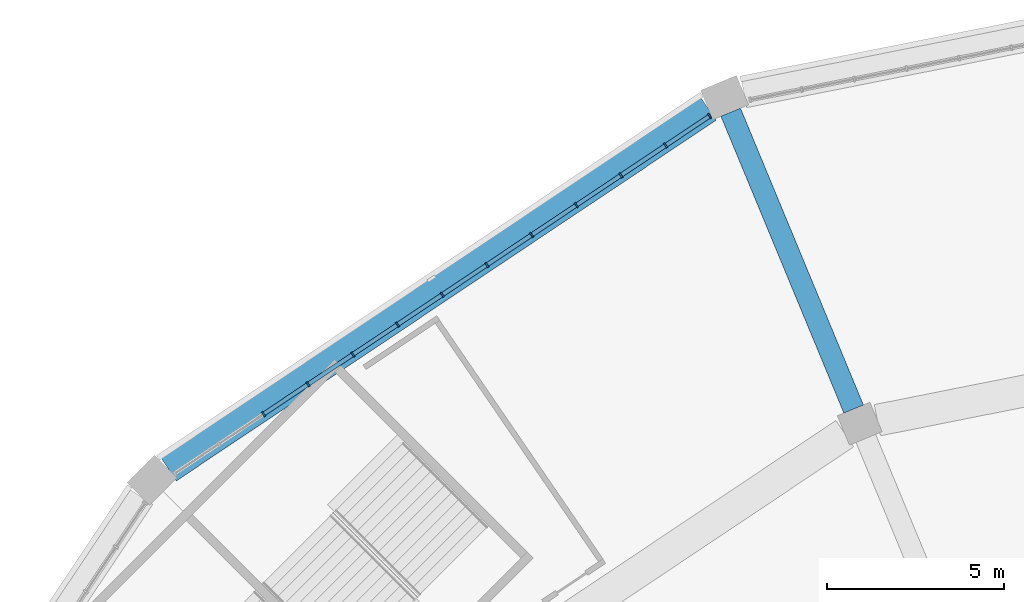
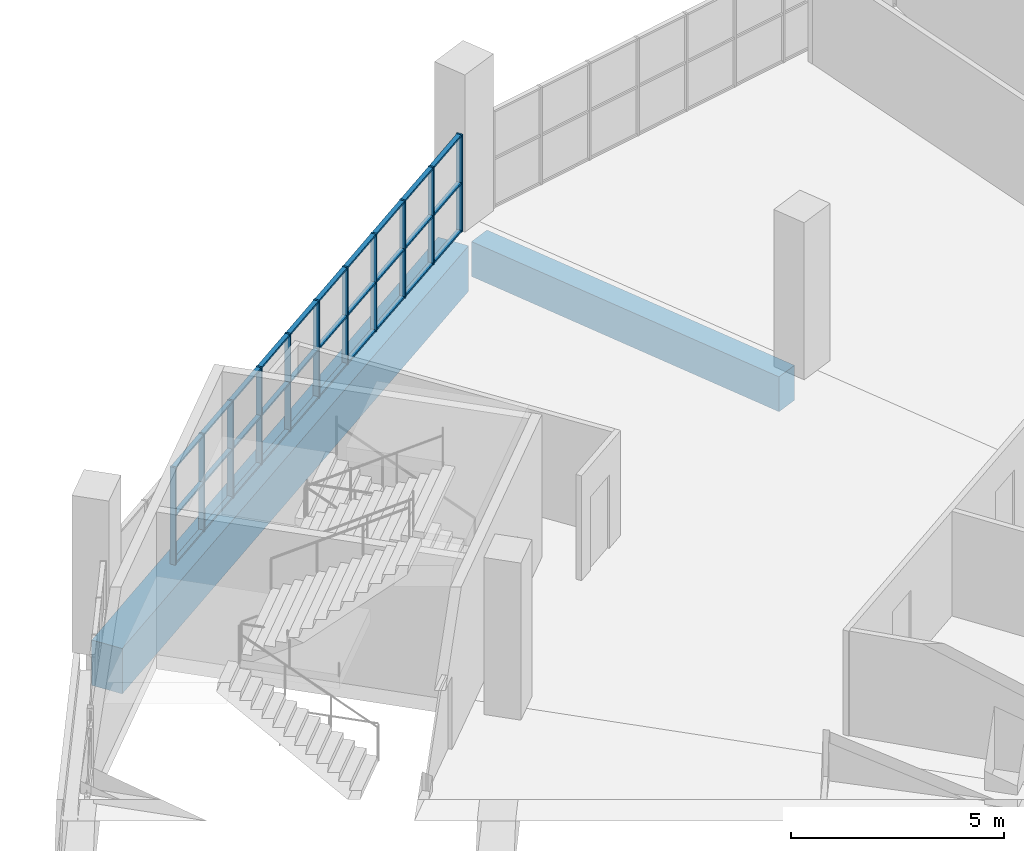
# One storey, part 42 of 199: 41 members, 2 beams, 1 element without a shape of its own.
"""IFC4 building model written with IfcOpenShell, lengths in metres."""

from ifc_helpers import new_model, si_unit, direction, frame, origin, origin_2d, place, context, subcontext, project, spatial, rectangle, extrude, material, material_profile, profile_set, type_object, element, aggregate, save


model = new_model("IFC4")

# Units and contexts
model_context = context("Model", 3, precision=1e-05, world=origin(), true_north=direction((0.0, 1.0)))
body_context = subcontext(model_context, "Body", "Model", "MODEL_VIEW")
ifc_project = project(units=[si_unit("LENGTHUNIT", "METRE"), si_unit("AREAUNIT", "SQUARE_METRE"), si_unit("VOLUMEUNIT", "CUBIC_METRE"), si_unit("PLANEANGLEUNIT", "RADIAN"), si_unit("MASSUNIT", "GRAM", prefix="KILO")], contexts=[model_context])

# Site, building, storey
site_placement = place(None, origin())
site = spatial("IfcSite", under=ifc_project, at=site_placement, CompositionType="ELEMENT")
building_placement = place(site_placement, origin())
building = spatial("IfcBuilding", under=site, at=building_placement, Name="Ogive Plaza Stadium", CompositionType="ELEMENT")
storey_placement = place(building_placement, frame((0.0, 0.0, 4.5)))
storey = spatial("IfcBuildingStorey", under=building, at=storey_placement, Name="L01", CompositionType="ELEMENT", Elevation=4.5)

# Curtain wall, members
ifc_material_1 = material(Name="Bronze-anodised aluminium with laminated glass", Category="aluminium")
curtain_wall_type = type_object("IfcCurtainWallType", Name="Lancet curtain wall", PredefinedType="NOTDEFINED", material=ifc_material_1)
curtain_wall_placement = place(storey_placement, origin())
curtain_wall = element("IfcCurtainWall", 1, at=curtain_wall_placement, inside=storey, type_object=curtain_wall_type, Name="CURTAIN WALL B30 L01", PredefinedType="NOTDEFINED")
ifc_material_2 = material(Name="Bronze-anodised aluminium", Category="aluminium")
ifc_material_profile_1 = material_profile(ifc_material_2, rectangle(XDim=0.14990234375, YDim=0.050048828125, at=origin_2d()), Name="AL 150x50")
ifc_profile_set_1 = profile_set([ifc_material_profile_1], Name="Bronze-anodised aluminium")
member_type_1 = type_object("IfcMemberType", Name="Curtain wall mullion 50x150", PredefinedType="MULLION", material=ifc_profile_set_1)
member_1_placement = place(storey_placement, frame((-66.19677734375, 89.725341796875, 0.0), z_axis=(0.0, 0.0, 1.0), x_axis=(-0.55557023302, 0.831469612303, 0.0)))
member_1 = element("IfcMember", 2, at=member_1_placement, type_object=member_type_1, Name="CW-B30-L01 mullion 3", PredefinedType="MULLION", context=body_context, shape_type="SweptSolid", body=[
    extrude(rectangle(XDim=0.14990234375, YDim=0.050048828125, at=origin_2d()), origin(), (0.0, 0.0, 1.0), 2.7900390625),
])
member_2_placement = place(storey_placement, frame((-64.930908203125, 90.571044921875, 0.0), z_axis=(0.0, 0.0, 1.0), x_axis=(-0.55557023302, 0.831469612303, 0.0)))
member_2 = element("IfcMember", 3, at=member_2_placement, type_object=member_type_1, Name="CW-B30-L01 mullion 4", PredefinedType="MULLION", context=body_context, shape_type="SweptSolid", body=[
    extrude(rectangle(XDim=0.14990234375, YDim=0.050048828125, at=origin_2d()), origin(), (0.0, 0.0, 1.0), 2.7900390625),
])
member_3_placement = place(storey_placement, frame((-63.665283203125, 91.416748046875, 0.0), z_axis=(0.0, 0.0, 1.0), x_axis=(-0.55557023302, 0.831469612303, 0.0)))
member_3 = element("IfcMember", 4, at=member_3_placement, type_object=member_type_1, Name="CW-B30-L01 mullion 5", PredefinedType="MULLION", context=body_context, shape_type="SweptSolid", body=[
    extrude(rectangle(XDim=0.14990234375, YDim=0.050048828125, at=origin_2d()), origin(), (0.0, 0.0, 1.0), 2.7900390625),
])
member_4_placement = place(storey_placement, frame((-62.3994140625, 92.2626953125, 0.0), z_axis=(0.0, 0.0, 1.0), x_axis=(-0.55557023302, 0.831469612303, 0.0)))
member_4 = element("IfcMember", 5, at=member_4_placement, type_object=member_type_1, Name="CW-B30-L01 mullion 6", PredefinedType="MULLION", context=body_context, shape_type="SweptSolid", body=[
    extrude(rectangle(XDim=0.14990234375, YDim=0.050048828125, at=origin_2d()), origin(), (0.0, 0.0, 1.0), 2.7900390625),
])
member_5_placement = place(storey_placement, frame((-61.133544921875, 93.1083984375, 0.0), z_axis=(0.0, 0.0, 1.0), x_axis=(-0.55557023302, 0.831469612303, 0.0)))
member_5 = element("IfcMember", 6, at=member_5_placement, type_object=member_type_1, Name="CW-B30-L01 mullion 7", PredefinedType="MULLION", context=body_context, shape_type="SweptSolid", body=[
    extrude(rectangle(XDim=0.14990234375, YDim=0.050048828125, at=origin_2d()), origin(), (0.0, 0.0, 1.0), 2.7900390625),
])
member_6_placement = place(storey_placement, frame((-59.867919921875, 93.9541015625, 0.0), z_axis=(0.0, 0.0, 1.0), x_axis=(-0.55557023302, 0.831469612303, 0.0)))
member_6 = element("IfcMember", 7, at=member_6_placement, type_object=member_type_1, Name="CW-B30-L01 mullion 8", PredefinedType="MULLION", context=body_context, shape_type="SweptSolid", body=[
    extrude(rectangle(XDim=0.14990234375, YDim=0.050048828125, at=origin_2d()), origin(), (0.0, 0.0, 1.0), 2.7900390625),
])
member_7_placement = place(storey_placement, frame((-58.60205078125, 94.7998046875, 0.0), z_axis=(0.0, 0.0, 1.0), x_axis=(-0.55557023302, 0.831469612303, 0.0)))
member_7 = element("IfcMember", 8, at=member_7_placement, type_object=member_type_1, Name="CW-B30-L01 mullion 9", PredefinedType="MULLION", context=body_context, shape_type="SweptSolid", body=[
    extrude(rectangle(XDim=0.14990234375, YDim=0.050048828125, at=origin_2d()), origin(), (0.0, 0.0, 1.0), 2.7900390625),
])
member_8_placement = place(storey_placement, frame((-57.336181640625, 95.645751953125, 0.0), z_axis=(0.0, 0.0, 1.0), x_axis=(-0.55557023302, 0.831469612303, 0.0)))
member_8 = element("IfcMember", 9, at=member_8_placement, type_object=member_type_1, Name="CW-B30-L01 mullion 10", PredefinedType="MULLION", context=body_context, shape_type="SweptSolid", body=[
    extrude(rectangle(XDim=0.14990234375, YDim=0.050048828125, at=origin_2d()), origin(), (0.0, 0.0, 1.0), 2.7900390625),
])
member_9_placement = place(storey_placement, frame((-56.070556640625, 96.491455078125, 0.0), z_axis=(0.0, 0.0, 1.0), x_axis=(-0.55557023302, 0.831469612303, 0.0)))
member_9 = element("IfcMember", 10, at=member_9_placement, type_object=member_type_1, Name="CW-B30-L01 mullion 11", PredefinedType="MULLION", context=body_context, shape_type="SweptSolid", body=[
    extrude(rectangle(XDim=0.14990234375, YDim=0.050048828125, at=origin_2d()), origin(), (0.0, 0.0, 1.0), 2.7900390625),
])
member_10_placement = place(storey_placement, frame((-54.8046875, 97.337158203125, 0.0), z_axis=(0.0, 0.0, 1.0), x_axis=(-0.55557023302, 0.831469612303, 0.0)))
member_10 = element("IfcMember", 11, at=member_10_placement, type_object=member_type_1, Name="CW-B30-L01 mullion 12", PredefinedType="MULLION", context=body_context, shape_type="SweptSolid", body=[
    extrude(rectangle(XDim=0.14990234375, YDim=0.050048828125, at=origin_2d()), origin(), (0.0, 0.0, 1.0), 2.7900390625),
])
member_11_placement = place(storey_placement, frame((-53.559814453125, 98.169189453125, 0.0), z_axis=(0.0, 0.0, 1.0), x_axis=(-0.55557023302, 0.831469612303, 0.0)))
member_11 = element("IfcMember", 12, at=member_11_placement, type_object=member_type_1, Name="CW-B30-L01 mullion 13", PredefinedType="MULLION", context=body_context, shape_type="SweptSolid", body=[
    extrude(rectangle(XDim=0.14990234375, YDim=0.050048828125, at=origin_2d()), origin(), (0.0, 0.0, 1.0), 2.7900390625),
])
ifc_material_3 = material(Name="Bronze-anodised aluminium", Category="aluminium")
ifc_material_profile_2 = material_profile(ifc_material_3, rectangle(XDim=0.1201171875, YDim=0.050048828125, at=origin_2d()), Name="AL 120x50")
ifc_profile_set_2 = profile_set([ifc_material_profile_2], Name="Bronze-anodised aluminium")
member_type_2 = type_object("IfcMemberType", Name="Curtain wall transom 50x120", PredefinedType="USERDEFINED", material=ifc_profile_set_2)
member_12_placement = place(storey_placement, frame((-66.176025390625, 89.7392578125, 0.02490234375), z_axis=(0.83153975619, 0.555465240925, 0.0), x_axis=(-0.555465240925, 0.83153975619, 0.0)))
member_12 = element("IfcMember", 13, at=member_12_placement, type_object=member_type_2, Name="CW-B30-L01 transom 3.1", ObjectType="TRANSOM", PredefinedType="USERDEFINED", context=body_context, shape_type="SweptSolid", body=[
    extrude(rectangle(XDim=0.1201171875, YDim=0.050048828125, at=origin_2d()), origin(), (0.0, 0.0, 1.0), 1.472412109375),
])
member_13_placement = place(storey_placement, frame((-66.176025390625, 89.7392578125, 1.39501953125), z_axis=(0.83153975619, 0.555465240925, 0.0), x_axis=(-0.555465240925, 0.83153975619, 0.0)))
member_13 = element("IfcMember", 14, at=member_13_placement, type_object=member_type_2, Name="CW-B30-L01 transom 3.2", ObjectType="TRANSOM", PredefinedType="USERDEFINED", context=body_context, shape_type="SweptSolid", body=[
    extrude(rectangle(XDim=0.1201171875, YDim=0.050048828125, at=origin_2d()), origin(), (0.0, 0.0, 1.0), 1.472412109375),
])
member_14_placement = place(storey_placement, frame((-66.176025390625, 89.7392578125, 2.764892578125), z_axis=(0.83153975619, 0.555465240925, 0.0), x_axis=(-0.555465240925, 0.83153975619, 0.0)))
member_14 = element("IfcMember", 15, at=member_14_placement, type_object=member_type_2, Name="CW-B30-L01 transom 3.3", ObjectType="TRANSOM", PredefinedType="USERDEFINED", context=body_context, shape_type="SweptSolid", body=[
    extrude(rectangle(XDim=0.1201171875, YDim=0.050048828125, at=origin_2d()), origin(), (0.0, 0.0, 1.0), 1.472412109375),
])
member_15_placement = place(storey_placement, frame((-64.91015625, 90.5849609375, 0.02490234375), z_axis=(0.831488586159, 0.555541835587, 0.0), x_axis=(-0.555541835587, 0.831488586159, 0.0)))
member_15 = element("IfcMember", 16, at=member_15_placement, type_object=member_type_2, Name="CW-B30-L01 transom 4.1", ObjectType="TRANSOM", PredefinedType="USERDEFINED", context=body_context, shape_type="SweptSolid", body=[
    extrude(rectangle(XDim=0.1201171875, YDim=0.050048828125, at=origin_2d()), origin(), (0.0, 0.0, 1.0), 1.47216796875),
])
member_16_placement = place(storey_placement, frame((-64.91015625, 90.5849609375, 1.39501953125), z_axis=(0.831488586159, 0.555541835587, 0.0), x_axis=(-0.555541835587, 0.831488586159, 0.0)))
member_16 = element("IfcMember", 17, at=member_16_placement, type_object=member_type_2, Name="CW-B30-L01 transom 4.2", ObjectType="TRANSOM", PredefinedType="USERDEFINED", context=body_context, shape_type="SweptSolid", body=[
    extrude(rectangle(XDim=0.1201171875, YDim=0.050048828125, at=origin_2d()), origin(), (0.0, 0.0, 1.0), 1.47216796875),
])
member_17_placement = place(storey_placement, frame((-64.91015625, 90.5849609375, 2.764892578125), z_axis=(0.831488586159, 0.555541835587, 0.0), x_axis=(-0.555541835587, 0.831488586159, 0.0)))
member_17 = element("IfcMember", 18, at=member_17_placement, type_object=member_type_2, Name="CW-B30-L01 transom 4.3", ObjectType="TRANSOM", PredefinedType="USERDEFINED", context=body_context, shape_type="SweptSolid", body=[
    extrude(rectangle(XDim=0.1201171875, YDim=0.050048828125, at=origin_2d()), origin(), (0.0, 0.0, 1.0), 1.47216796875),
])
member_18_placement = place(storey_placement, frame((-63.64453125, 91.4306640625, 0.02490234375), z_axis=(0.831463168883, 0.555579876157, 0.0), x_axis=(-0.555579876157, 0.831463168883, 0.0)))
member_18 = element("IfcMember", 19, at=member_18_placement, type_object=member_type_2, Name="CW-B30-L01 transom 5.1", ObjectType="TRANSOM", PredefinedType="USERDEFINED", context=body_context, shape_type="SweptSolid", body=[
    extrude(rectangle(XDim=0.1201171875, YDim=0.050048828125, at=origin_2d()), origin(), (0.0, 0.0, 1.0), 1.47265625),
])
member_19_placement = place(storey_placement, frame((-63.64453125, 91.4306640625, 1.39501953125), z_axis=(0.831463168883, 0.555579876157, 0.0), x_axis=(-0.555579876157, 0.831463168883, 0.0)))
member_19 = element("IfcMember", 20, at=member_19_placement, type_object=member_type_2, Name="CW-B30-L01 transom 5.2", ObjectType="TRANSOM", PredefinedType="USERDEFINED", context=body_context, shape_type="SweptSolid", body=[
    extrude(rectangle(XDim=0.1201171875, YDim=0.050048828125, at=origin_2d()), origin(), (0.0, 0.0, 1.0), 1.47265625),
])
member_20_placement = place(storey_placement, frame((-63.64453125, 91.4306640625, 2.764892578125), z_axis=(0.831463168883, 0.555579876157, 0.0), x_axis=(-0.555579876157, 0.831463168883, 0.0)))
member_20 = element("IfcMember", 21, at=member_20_placement, type_object=member_type_2, Name="CW-B30-L01 transom 5.3", ObjectType="TRANSOM", PredefinedType="USERDEFINED", context=body_context, shape_type="SweptSolid", body=[
    extrude(rectangle(XDim=0.1201171875, YDim=0.050048828125, at=origin_2d()), origin(), (0.0, 0.0, 1.0), 1.47265625),
])
member_21_placement = place(storey_placement, frame((-62.378662109375, 92.2763671875, 0.02490234375), z_axis=(0.831411982446, 0.555656472512, 0.0), x_axis=(-0.555656472512, 0.831411982446, 0.0)))
member_21 = element("IfcMember", 22, at=member_21_placement, type_object=member_type_2, Name="CW-B30-L01 transom 6.1", ObjectType="TRANSOM", PredefinedType="USERDEFINED", context=body_context, shape_type="SweptSolid", body=[
    extrude(rectangle(XDim=0.1201171875, YDim=0.050048828125, at=origin_2d()), origin(), (0.0, 0.0, 1.0), 1.472412109375),
])
member_22_placement = place(storey_placement, frame((-62.378662109375, 92.2763671875, 1.39501953125), z_axis=(0.831411982446, 0.555656472512, 0.0), x_axis=(-0.555656472512, 0.831411982446, 0.0)))
member_22 = element("IfcMember", 23, at=member_22_placement, type_object=member_type_2, Name="CW-B30-L01 transom 6.2", ObjectType="TRANSOM", PredefinedType="USERDEFINED", context=body_context, shape_type="SweptSolid", body=[
    extrude(rectangle(XDim=0.1201171875, YDim=0.050048828125, at=origin_2d()), origin(), (0.0, 0.0, 1.0), 1.472412109375),
])
member_23_placement = place(storey_placement, frame((-62.378662109375, 92.2763671875, 2.764892578125), z_axis=(0.831411982446, 0.555656472512, 0.0), x_axis=(-0.555656472512, 0.831411982446, 0.0)))
member_23 = element("IfcMember", 24, at=member_23_placement, type_object=member_type_2, Name="CW-B30-L01 transom 6.3", ObjectType="TRANSOM", PredefinedType="USERDEFINED", context=body_context, shape_type="SweptSolid", body=[
    extrude(rectangle(XDim=0.1201171875, YDim=0.050048828125, at=origin_2d()), origin(), (0.0, 0.0, 1.0), 1.472412109375),
])
member_24_placement = place(storey_placement, frame((-61.11279296875, 93.122314453125, 0.02490234375), z_axis=(0.831488586159, 0.555541835587, 0.0), x_axis=(-0.555541835587, 0.831488586159, 0.0)))
member_24 = element("IfcMember", 25, at=member_24_placement, type_object=member_type_2, Name="CW-B30-L01 transom 7.1", ObjectType="TRANSOM", PredefinedType="USERDEFINED", context=body_context, shape_type="SweptSolid", body=[
    extrude(rectangle(XDim=0.1201171875, YDim=0.050048828125, at=origin_2d()), origin(), (0.0, 0.0, 1.0), 1.47216796875),
])
member_25_placement = place(storey_placement, frame((-61.11279296875, 93.122314453125, 1.39501953125), z_axis=(0.831488586159, 0.555541835587, 0.0), x_axis=(-0.555541835587, 0.831488586159, 0.0)))
member_25 = element("IfcMember", 26, at=member_25_placement, type_object=member_type_2, Name="CW-B30-L01 transom 7.2", ObjectType="TRANSOM", PredefinedType="USERDEFINED", context=body_context, shape_type="SweptSolid", body=[
    extrude(rectangle(XDim=0.1201171875, YDim=0.050048828125, at=origin_2d()), origin(), (0.0, 0.0, 1.0), 1.47216796875),
])
member_26_placement = place(storey_placement, frame((-61.11279296875, 93.122314453125, 2.764892578125), z_axis=(0.831488586159, 0.555541835587, 0.0), x_axis=(-0.555541835587, 0.831488586159, 0.0)))
member_26 = element("IfcMember", 27, at=member_26_placement, type_object=member_type_2, Name="CW-B30-L01 transom 7.3", ObjectType="TRANSOM", PredefinedType="USERDEFINED", context=body_context, shape_type="SweptSolid", body=[
    extrude(rectangle(XDim=0.1201171875, YDim=0.050048828125, at=origin_2d()), origin(), (0.0, 0.0, 1.0), 1.47216796875),
])
member_27_placement = place(storey_placement, frame((-59.84716796875, 93.968017578125, 0.02490234375), z_axis=(0.831463168883, 0.555579876157, 0.0), x_axis=(-0.555579876157, 0.831463168883, 0.0)))
member_27 = element("IfcMember", 28, at=member_27_placement, type_object=member_type_2, Name="CW-B30-L01 transom 8.1", ObjectType="TRANSOM", PredefinedType="USERDEFINED", context=body_context, shape_type="SweptSolid", body=[
    extrude(rectangle(XDim=0.1201171875, YDim=0.050048828125, at=origin_2d()), origin(), (0.0, 0.0, 1.0), 1.47265625),
])
member_28_placement = place(storey_placement, frame((-59.84716796875, 93.968017578125, 1.39501953125), z_axis=(0.831463168883, 0.555579876157, 0.0), x_axis=(-0.555579876157, 0.831463168883, 0.0)))
member_28 = element("IfcMember", 29, at=member_28_placement, type_object=member_type_2, Name="CW-B30-L01 transom 8.2", ObjectType="TRANSOM", PredefinedType="USERDEFINED", context=body_context, shape_type="SweptSolid", body=[
    extrude(rectangle(XDim=0.1201171875, YDim=0.050048828125, at=origin_2d()), origin(), (0.0, 0.0, 1.0), 1.47265625),
])
member_29_placement = place(storey_placement, frame((-59.84716796875, 93.968017578125, 2.764892578125), z_axis=(0.831463168883, 0.555579876157, 0.0), x_axis=(-0.555579876157, 0.831463168883, 0.0)))
member_29 = element("IfcMember", 30, at=member_29_placement, type_object=member_type_2, Name="CW-B30-L01 transom 8.3", ObjectType="TRANSOM", PredefinedType="USERDEFINED", context=body_context, shape_type="SweptSolid", body=[
    extrude(rectangle(XDim=0.1201171875, YDim=0.050048828125, at=origin_2d()), origin(), (0.0, 0.0, 1.0), 1.47265625),
])
member_30_placement = place(storey_placement, frame((-58.581298828125, 94.813720703125, 0.02490234375), z_axis=(0.831411982446, 0.555656472512, 0.0), x_axis=(-0.555656472512, 0.831411982446, 0.0)))
member_30 = element("IfcMember", 31, at=member_30_placement, type_object=member_type_2, Name="CW-B30-L01 transom 9.1", ObjectType="TRANSOM", PredefinedType="USERDEFINED", context=body_context, shape_type="SweptSolid", body=[
    extrude(rectangle(XDim=0.1201171875, YDim=0.050048828125, at=origin_2d()), origin(), (0.0, 0.0, 1.0), 1.472412109375),
])
member_31_placement = place(storey_placement, frame((-58.581298828125, 94.813720703125, 1.39501953125), z_axis=(0.831411982446, 0.555656472512, 0.0), x_axis=(-0.555656472512, 0.831411982446, 0.0)))
member_31 = element("IfcMember", 32, at=member_31_placement, type_object=member_type_2, Name="CW-B30-L01 transom 9.2", ObjectType="TRANSOM", PredefinedType="USERDEFINED", context=body_context, shape_type="SweptSolid", body=[
    extrude(rectangle(XDim=0.1201171875, YDim=0.050048828125, at=origin_2d()), origin(), (0.0, 0.0, 1.0), 1.472412109375),
])
member_32_placement = place(storey_placement, frame((-58.581298828125, 94.813720703125, 2.764892578125), z_axis=(0.831411982446, 0.555656472512, 0.0), x_axis=(-0.555656472512, 0.831411982446, 0.0)))
member_32 = element("IfcMember", 33, at=member_32_placement, type_object=member_type_2, Name="CW-B30-L01 transom 9.3", ObjectType="TRANSOM", PredefinedType="USERDEFINED", context=body_context, shape_type="SweptSolid", body=[
    extrude(rectangle(XDim=0.1201171875, YDim=0.050048828125, at=origin_2d()), origin(), (0.0, 0.0, 1.0), 1.472412109375),
])
member_33_placement = place(storey_placement, frame((-57.3154296875, 95.65966796875, 0.02490234375), z_axis=(0.831488586159, 0.555541835587, 0.0), x_axis=(-0.555541835587, 0.831488586159, 0.0)))
member_33 = element("IfcMember", 34, at=member_33_placement, type_object=member_type_2, Name="CW-B30-L01 transom 10.1", ObjectType="TRANSOM", PredefinedType="USERDEFINED", context=body_context, shape_type="SweptSolid", body=[
    extrude(rectangle(XDim=0.1201171875, YDim=0.050048828125, at=origin_2d()), origin(), (0.0, 0.0, 1.0), 1.47216796875),
])
member_34_placement = place(storey_placement, frame((-57.3154296875, 95.65966796875, 1.39501953125), z_axis=(0.831488586159, 0.555541835587, 0.0), x_axis=(-0.555541835587, 0.831488586159, 0.0)))
member_34 = element("IfcMember", 35, at=member_34_placement, type_object=member_type_2, Name="CW-B30-L01 transom 10.2", ObjectType="TRANSOM", PredefinedType="USERDEFINED", context=body_context, shape_type="SweptSolid", body=[
    extrude(rectangle(XDim=0.1201171875, YDim=0.050048828125, at=origin_2d()), origin(), (0.0, 0.0, 1.0), 1.47216796875),
])
member_35_placement = place(storey_placement, frame((-57.3154296875, 95.65966796875, 2.764892578125), z_axis=(0.831488586159, 0.555541835587, 0.0), x_axis=(-0.555541835587, 0.831488586159, 0.0)))
member_35 = element("IfcMember", 36, at=member_35_placement, type_object=member_type_2, Name="CW-B30-L01 transom 10.3", ObjectType="TRANSOM", PredefinedType="USERDEFINED", context=body_context, shape_type="SweptSolid", body=[
    extrude(rectangle(XDim=0.1201171875, YDim=0.050048828125, at=origin_2d()), origin(), (0.0, 0.0, 1.0), 1.47216796875),
])
member_36_placement = place(storey_placement, frame((-56.0498046875, 96.50537109375, 0.02490234375), z_axis=(0.83153975619, 0.555465240925, 0.0), x_axis=(-0.555465240925, 0.83153975619, 0.0)))
member_36 = element("IfcMember", 37, at=member_36_placement, type_object=member_type_2, Name="CW-B30-L01 transom 11.1", ObjectType="TRANSOM", PredefinedType="USERDEFINED", context=body_context, shape_type="SweptSolid", body=[
    extrude(rectangle(XDim=0.1201171875, YDim=0.050048828125, at=origin_2d()), origin(), (0.0, 0.0, 1.0), 1.472412109375),
])
member_37_placement = place(storey_placement, frame((-56.0498046875, 96.50537109375, 1.39501953125), z_axis=(0.83153975619, 0.555465240925, 0.0), x_axis=(-0.555465240925, 0.83153975619, 0.0)))
member_37 = element("IfcMember", 38, at=member_37_placement, type_object=member_type_2, Name="CW-B30-L01 transom 11.2", ObjectType="TRANSOM", PredefinedType="USERDEFINED", context=body_context, shape_type="SweptSolid", body=[
    extrude(rectangle(XDim=0.1201171875, YDim=0.050048828125, at=origin_2d()), origin(), (0.0, 0.0, 1.0), 1.472412109375),
])
member_38_placement = place(storey_placement, frame((-56.0498046875, 96.50537109375, 2.764892578125), z_axis=(0.83153975619, 0.555465240925, 0.0), x_axis=(-0.555465240925, 0.83153975619, 0.0)))
member_38 = element("IfcMember", 39, at=member_38_placement, type_object=member_type_2, Name="CW-B30-L01 transom 11.3", ObjectType="TRANSOM", PredefinedType="USERDEFINED", context=body_context, shape_type="SweptSolid", body=[
    extrude(rectangle(XDim=0.1201171875, YDim=0.050048828125, at=origin_2d()), origin(), (0.0, 0.0, 1.0), 1.472412109375),
])
member_39_placement = place(storey_placement, frame((-54.783935546875, 97.35107421875, 0.02490234375), z_axis=(0.831426948977, 0.555634077892, 0.0), x_axis=(-0.555634077892, 0.831426948977, 0.0)))
member_39 = element("IfcMember", 40, at=member_39_placement, type_object=member_type_2, Name="CW-B30-L01 transom 12.1", ObjectType="TRANSOM", PredefinedType="USERDEFINED", context=body_context, shape_type="SweptSolid", body=[
    extrude(rectangle(XDim=0.1201171875, YDim=0.050048828125, at=origin_2d()), origin(), (0.0, 0.0, 1.0), 1.447265625),
])
member_40_placement = place(storey_placement, frame((-54.783935546875, 97.35107421875, 1.39501953125), z_axis=(0.831426948977, 0.555634077892, 0.0), x_axis=(-0.555634077892, 0.831426948977, 0.0)))
member_40 = element("IfcMember", 41, at=member_40_placement, type_object=member_type_2, Name="CW-B30-L01 transom 12.2", ObjectType="TRANSOM", PredefinedType="USERDEFINED", context=body_context, shape_type="SweptSolid", body=[
    extrude(rectangle(XDim=0.1201171875, YDim=0.050048828125, at=origin_2d()), origin(), (0.0, 0.0, 1.0), 1.447265625),
])
member_41_placement = place(storey_placement, frame((-54.783935546875, 97.35107421875, 2.764892578125), z_axis=(0.831426948977, 0.555634077892, 0.0), x_axis=(-0.555634077892, 0.831426948977, 0.0)))
member_41 = element("IfcMember", 42, at=member_41_placement, type_object=member_type_2, Name="CW-B30-L01 transom 12.3", ObjectType="TRANSOM", PredefinedType="USERDEFINED", context=body_context, shape_type="SweptSolid", body=[
    extrude(rectangle(XDim=0.1201171875, YDim=0.050048828125, at=origin_2d()), origin(), (0.0, 0.0, 1.0), 1.447265625),
])
aggregate(curtain_wall, [member_1, member_2, member_3, member_4, member_5, member_6, member_7, member_8, member_9, member_10, member_11, member_12, member_13, member_14, member_15, member_16, member_17, member_18, member_19, member_20, member_21, member_22, member_23, member_24, member_25, member_26, member_27, member_28, member_29, member_30, member_31, member_32, member_33, member_34, member_35, member_36, member_37, member_38, member_39, member_40, member_41])

# Beams
ifc_material_4 = material(Name="Concrete C40/50", Category="concrete")
ifc_material_profile_3 = material_profile(ifc_material_4, rectangle(XDim=0.60009765625, YDim=1.0, at=origin_2d()), Name="RC 600x1000")
ifc_profile_set_3 = profile_set([ifc_material_profile_3], Name="Concrete C40/50")
beam_type_1 = type_object("IfcBeamType", Name="RC radial beam 600x1000", PredefinedType="BEAM", material=ifc_profile_set_3)
beam_1_placement = place(storey_placement, frame((-49.4794921875, 89.870849609375, -0.909912109375), z_axis=(-0.382677193504, 0.923882116707, 0.0), x_axis=(-0.923882116707, -0.382677193504, 0.0)))
element("IfcBeam", 43, at=beam_1_placement, inside=storey, type_object=beam_type_1, Name="Radial beam L01 R31 F4F5", PredefinedType="BEAM", context=body_context, shape_type="SweptSolid", body=[
    extrude(rectangle(XDim=0.60009765625, YDim=1.0, at=origin_2d()), origin(), (0.0, 0.0, 1.0), 9.10009765625),
])
ifc_material_5 = material(Name="Concrete C40/50", Category="concrete")
ifc_material_profile_4 = material_profile(ifc_material_5, rectangle(XDim=0.800048828125, YDim=1.300048828125, at=origin_2d()), Name="RC 800x1300")
ifc_profile_set_4 = profile_set([ifc_material_profile_4], Name="Concrete C40/50")
beam_type_2 = type_object("IfcBeamType", Name="RC spandrel beam 800x1300", PredefinedType="SPANDREL", material=ifc_profile_set_4)
beam_2_placement = place(storey_placement, frame((-68.88916015625, 88.1669921875, -1.06005859375), z_axis=(0.831477897484, 0.555557833169, 0.0), x_axis=(-0.555557833169, 0.831477897484, 0.0)))
element("IfcBeam", 44, at=beam_2_placement, inside=storey, type_object=beam_type_2, Name="Ring beam F5 L01 B30", PredefinedType="SPANDREL", context=body_context, shape_type="SweptSolid", body=[
    extrude(rectangle(XDim=0.800048828125, YDim=1.300048828125, at=origin_2d()), origin(), (0.0, 0.0, 1.0), 18.387451171875),
])

save(model, "model.ifc")
